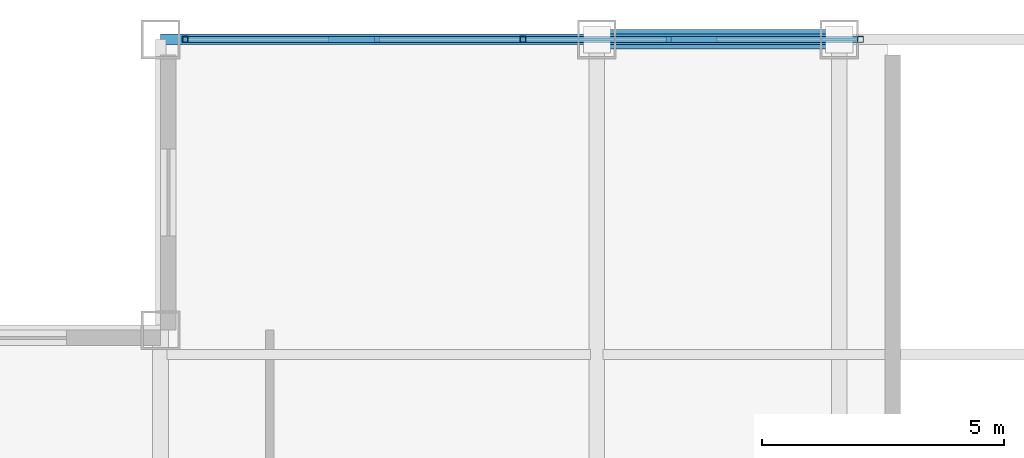
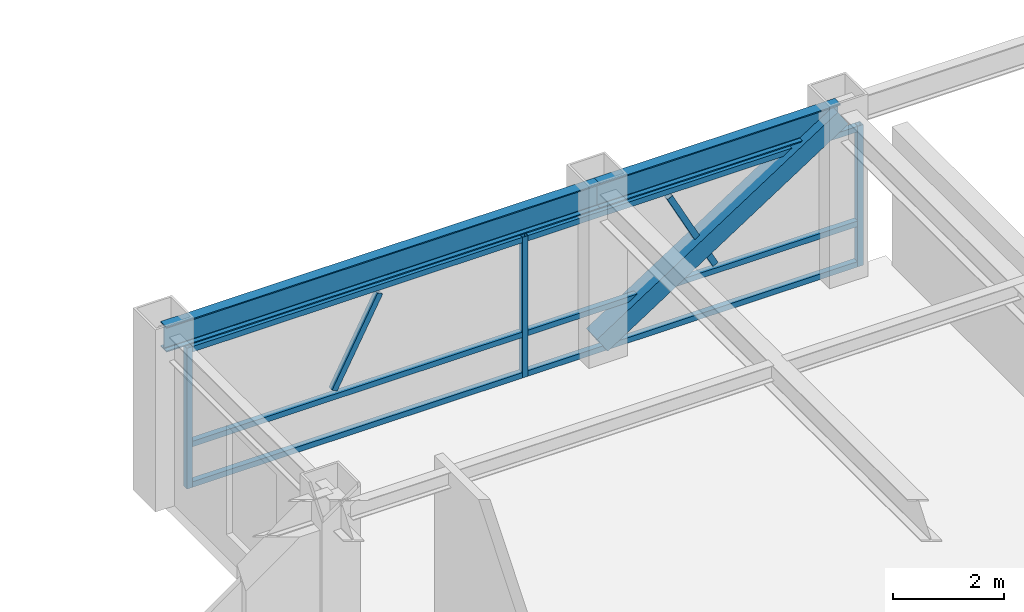
# One storey, part 19 of 29: 12 members, 2 beams, 1 element without a shape of its own.
"""IFC4 building model written with IfcOpenShell, lengths in metres."""

from ifc_helpers import new_model, si_unit, direction, frame, origin, origin_2d, place, context, subcontext, project, spatial, hollow_rectangle, i_section, extrude, source, transform, mapped, material, material_profile, profile_set, type_object, element, aggregate, save


model = new_model("IFC4")

# Units and contexts
model_context = context("Model", 3, precision=1e-05, world=origin(), true_north=direction((0.0, 1.0)))
body_context = subcontext(model_context, "Body", "Model", "MODEL_VIEW")
ifc_project = project(units=[si_unit("LENGTHUNIT", "METRE"), si_unit("AREAUNIT", "SQUARE_METRE"), si_unit("VOLUMEUNIT", "CUBIC_METRE"), si_unit("PLANEANGLEUNIT", "RADIAN"), si_unit("MASSUNIT", "GRAM", prefix="KILO")], contexts=[model_context])

# Site, building, storey
site_placement = place(None, origin())
site = spatial("IfcSite", under=ifc_project, at=site_placement, CompositionType="ELEMENT")
building_placement = place(site_placement, origin())
building = spatial("IfcBuilding", under=site, at=building_placement, Name="Khorayat Bourse Tower", CompositionType="ELEMENT")
storey_placement = place(building_placement, frame((0.0, 0.0, 354.300048828125)))
storey = spatial("IfcBuildingStorey", under=building, at=storey_placement, Name="L84", CompositionType="ELEMENT", Elevation=354.300048828125)

# Beams
ifc_material_1 = material(Name="Steel ASTM A992 Grade 50", Category="steel")
ifc_material_profile_1 = material_profile(ifc_material_1, i_section(OverallWidth=0.214111328125, OverallDepth=0.549072265625, WebThickness=0.0146484375, FlangeThickness=0.023681640625, FilletRadius=0.013916015625, at=origin_2d()), Name="W530X138")
ifc_profile_set_1 = profile_set([ifc_material_profile_1], Name="Steel ASTM A992 Grade 50")
beam_type = type_object("IfcBeamType", Name="BM-SPAN-530", PredefinedType="SPANDREL", material=ifc_profile_set_1)
shared_shape_1 = source(origin(), body_context, "Body", "SweptSolid", [
    extrude(i_section(OverallWidth=0.214111328125, OverallDepth=0.549072265625, WebThickness=0.0146484375, FlangeThickness=0.023681640625, FilletRadius=0.013916015625, at=origin_2d()), origin(), (0.0, 0.0, 1.0), 9.0),
])
beam_1_placement = place(storey_placement, frame((-20.0, 26.0, 3.46533203125), z_axis=(1.0, 0.0, 0.0), x_axis=(0.0, 1.0, 0.0)))
element("IfcBeam", 1, at=beam_1_placement, inside=storey, type_object=beam_type, Name="L84 BM-SPAN-530 BM-L84-SPN-045", PredefinedType="SPANDREL", context=body_context, shape_type="MappedRepresentation", body=[
    mapped(shared_shape_1, transform((0.0, 0.0, 0.0), scale=1.0)),
])
shared_shape_2 = source(origin(), body_context, "Body", "SweptSolid", [
    extrude(i_section(OverallWidth=0.214111328125, OverallDepth=0.549072265625, WebThickness=0.0146484375, FlangeThickness=0.023681640625, FilletRadius=0.013916015625, at=origin_2d()), origin(), (0.0, 0.0, 1.0), 5.0),
])
beam_2_placement = place(storey_placement, frame((-11.0, 26.0, 3.46533203125), z_axis=(1.0, 0.0, 0.0), x_axis=(0.0, 1.0, 0.0)))
element("IfcBeam", 2, at=beam_2_placement, inside=storey, type_object=beam_type, Name="L84 BM-SPAN-530 BM-L84-SPN-044", PredefinedType="SPANDREL", context=body_context, shape_type="MappedRepresentation", body=[
    mapped(shared_shape_2, transform((0.0, 0.0, 0.0), scale=1.0)),
])

# Member
ifc_material_2 = material(Name="Steel EN 10025-4 S460M", Category="steel")
ifc_material_profile_2 = material_profile(ifc_material_2, hollow_rectangle(XDim=0.39990234375, YDim=0.39990234375, WallThickness=0.02197265625, at=origin_2d()), Name="HSS 400x400x22")
ifc_profile_set_2 = profile_set([ifc_material_profile_2], Name="Steel EN 10025-4 S460M")
member_type_1 = type_object("IfcMemberType", Name="MBR-TUBE-400", PredefinedType="BRACE", material=ifc_profile_set_2)
shared_shape_3 = source(origin(), body_context, "Body", "SweptSolid", [
    extrude(hollow_rectangle(XDim=0.39990234375, YDim=0.39990234375, WallThickness=0.02197265625, at=origin_2d()), origin(), (0.0, 0.0, 1.0), 5.9580078125),
])
member_1_placement = place(storey_placement, frame((-11.0, 26.0, 0.25), z_axis=(0.839210474455, 0.0, 0.543806748364), x_axis=(0.0, 1.0, 0.0)))
element("IfcMember", 3, at=member_1_placement, inside=storey, type_object=member_type_1, Name="L84 Perimeter Tube Brace 03", PredefinedType="BRACE", context=body_context, shape_type="MappedRepresentation", body=[
    mapped(shared_shape_3, transform((0.0, 0.0, 0.0), scale=1.0)),
])

# Curtain wall, members
ifc_material_3 = material(Name="Aluminium EN AW-6063 T6", Category="aluminium")
curtain_wall_type = type_object("IfcCurtainWallType", Name="CW-SYS-06", PredefinedType="NOTDEFINED", material=ifc_material_3)
curtain_wall_placement = place(storey_placement, origin())
curtain_wall = element("IfcCurtainWall", 4, at=curtain_wall_placement, inside=storey, type_object=curtain_wall_type, Name="L84 Curtain Wall CW-L84-N1", PredefinedType="NOTDEFINED")
ifc_material_profile_3 = material_profile(ifc_material_3, hollow_rectangle(XDim=0.1201171875, YDim=0.1201171875, WallThickness=0.0048828125, at=origin_2d()), Name="ALU 120x120x5")
ifc_profile_set_3 = profile_set([ifc_material_profile_3], Name="Aluminium EN AW-6063 T6")
member_type_2 = type_object("IfcMemberType", Name="CWM-VERT-120", PredefinedType="MULLION", material=ifc_profile_set_3)
shared_shape_4 = source(origin(), body_context, "Body", "SweptSolid", [
    extrude(hollow_rectangle(XDim=0.1201171875, YDim=0.1201171875, WallThickness=0.0048828125, at=origin_2d()), origin(), (0.0, 0.0, 1.0), 3.08984375),
])
member_2_placement = place(storey_placement, frame((-5.56005859375, 26.0, 0.0), z_axis=(0.0, 0.0, 1.0), x_axis=(0.0, -1.0, 0.0)))
member_2 = element("IfcMember", 5, at=member_2_placement, type_object=member_type_2, Name="CW-L84-N1 Vertical Mullion 1", PredefinedType="MULLION", context=body_context, shape_type="MappedRepresentation", body=[
    mapped(shared_shape_4, transform((0.0, 0.0, 0.0), scale=1.0)),
])
member_3_placement = place(storey_placement, frame((-12.52490234375, 26.0, 0.0), z_axis=(0.0, 0.0, 1.0), x_axis=(0.0, -1.0, 0.0)))
member_3 = element("IfcMember", 6, at=member_3_placement, type_object=member_type_2, Name="CW-L84-N1 Vertical Mullion 2", PredefinedType="MULLION", context=body_context, shape_type="MappedRepresentation", body=[
    mapped(shared_shape_4, transform((0.0, 0.0, 0.0), scale=1.0)),
])
member_4_placement = place(storey_placement, frame((-19.489990234375, 26.0, 0.0), z_axis=(0.0, 0.0, 1.0), x_axis=(0.0, -1.0, 0.0)))
member_4 = element("IfcMember", 7, at=member_4_placement, type_object=member_type_2, Name="CW-L84-N1 Vertical Mullion 3", PredefinedType="MULLION", context=body_context, shape_type="MappedRepresentation", body=[
    mapped(shared_shape_4, transform((0.0, 0.0, 0.0), scale=1.0)),
])
ifc_material_profile_4 = material_profile(ifc_material_3, hollow_rectangle(XDim=0.1201171875, YDim=0.1201171875, WallThickness=0.0048828125, at=origin_2d()), Name="ALU 120x120x5")
ifc_profile_set_4 = profile_set([ifc_material_profile_4], Name="Aluminium EN AW-6063 T6")
member_type_3 = type_object("IfcMemberType", Name="CWM-DIAG-120", PredefinedType="MULLION", material=ifc_profile_set_4)
shared_shape_5 = source(origin(), body_context, "Body", "SweptSolid", [
    extrude(hollow_rectangle(XDim=0.1201171875, YDim=0.1201171875, WallThickness=0.0048828125, at=origin_2d()), origin(), (0.0, 0.0, 1.0), 2.0341796875),
])
member_5_placement = place(storey_placement, frame((-8.56884765625, 26.0, 1.08984375), z_axis=(-0.465696964104, 0.0, 0.884944256789), x_axis=(0.0, -1.0, 0.0)))
member_5 = element("IfcMember", 8, at=member_5_placement, type_object=member_type_3, Name="CW-L84-N1 Faceted Diagonal Mullion 1", PredefinedType="MULLION", context=body_context, shape_type="MappedRepresentation", body=[
    mapped(shared_shape_5, transform((0.0, 0.0, 0.0), scale=1.0)),
])
member_6_placement = place(storey_placement, frame((-16.481201171875, 26.0, 1.08984375), z_axis=(0.465696964104, 0.0, 0.884944256789), x_axis=(0.0, 1.0, 0.0)))
member_6 = element("IfcMember", 9, at=member_6_placement, type_object=member_type_3, Name="CW-L84-N1 Faceted Diagonal Mullion 2", PredefinedType="MULLION", context=body_context, shape_type="MappedRepresentation", body=[
    mapped(shared_shape_5, transform((0.0, 0.0, 0.0), scale=1.0)),
])
ifc_material_profile_5 = material_profile(ifc_material_3, hollow_rectangle(XDim=0.1201171875, YDim=0.1201171875, WallThickness=0.0048828125, at=origin_2d()), Name="ALU 120x120x5")
ifc_profile_set_5 = profile_set([ifc_material_profile_5], Name="Aluminium EN AW-6063 T6")
member_type_4 = type_object("IfcMemberType", Name="CWT-HORZ-120", PredefinedType="USERDEFINED", material=ifc_profile_set_5)
shared_shape_6 = source(origin(), body_context, "Body", "SweptSolid", [
    extrude(hollow_rectangle(XDim=0.1201171875, YDim=0.1201171875, WallThickness=0.0048828125, at=origin_2d()), origin(), (0.0, 0.0, 1.0), 6.844970703125),
])
member_7_placement = place(storey_placement, frame((-5.6201171875, 26.0, 0.06005859375), z_axis=(-1.0, 0.0, 0.0), x_axis=(0.0, -1.0, 0.0)))
member_7 = element("IfcMember", 10, at=member_7_placement, type_object=member_type_4, Name="CW-L84-N1 Horizontal Transom 1-1", ObjectType="TRANSOM", PredefinedType="USERDEFINED", context=body_context, shape_type="MappedRepresentation", body=[
    mapped(shared_shape_6, transform((0.0, 0.0, 0.0), scale=1.0)),
])
member_8_placement = place(storey_placement, frame((-5.6201171875, 26.0, 0.949951171875), z_axis=(-1.0, 0.0, 0.0), x_axis=(0.0, -1.0, 0.0)))
member_8 = element("IfcMember", 11, at=member_8_placement, type_object=member_type_4, Name="CW-L84-N1 Horizontal Transom 1-2", ObjectType="TRANSOM", PredefinedType="USERDEFINED", context=body_context, shape_type="MappedRepresentation", body=[
    mapped(shared_shape_6, transform((0.0, 0.0, 0.0), scale=1.0)),
])
member_9_placement = place(storey_placement, frame((-5.6201171875, 26.0, 3.030029296875), z_axis=(-1.0, 0.0, 0.0), x_axis=(0.0, -1.0, 0.0)))
member_9 = element("IfcMember", 12, at=member_9_placement, type_object=member_type_4, Name="CW-L84-N1 Horizontal Transom 1-3", ObjectType="TRANSOM", PredefinedType="USERDEFINED", context=body_context, shape_type="MappedRepresentation", body=[
    mapped(shared_shape_6, transform((0.0, 0.0, 0.0), scale=1.0)),
])
member_10_placement = place(storey_placement, frame((-12.5849609375, 26.0, 0.06005859375), z_axis=(-1.0, 0.0, 0.0), x_axis=(0.0, -1.0, 0.0)))
member_10 = element("IfcMember", 13, at=member_10_placement, type_object=member_type_4, Name="CW-L84-N1 Horizontal Transom 2-1", ObjectType="TRANSOM", PredefinedType="USERDEFINED", context=body_context, shape_type="MappedRepresentation", body=[
    mapped(shared_shape_6, transform((0.0, 0.0, 0.0), scale=1.0)),
])
member_11_placement = place(storey_placement, frame((-12.5849609375, 26.0, 0.949951171875), z_axis=(-1.0, 0.0, 0.0), x_axis=(0.0, -1.0, 0.0)))
member_11 = element("IfcMember", 14, at=member_11_placement, type_object=member_type_4, Name="CW-L84-N1 Horizontal Transom 2-2", ObjectType="TRANSOM", PredefinedType="USERDEFINED", context=body_context, shape_type="MappedRepresentation", body=[
    mapped(shared_shape_6, transform((0.0, 0.0, 0.0), scale=1.0)),
])
member_12_placement = place(storey_placement, frame((-12.5849609375, 26.0, 3.030029296875), z_axis=(-1.0, 0.0, 0.0), x_axis=(0.0, -1.0, 0.0)))
member_12 = element("IfcMember", 15, at=member_12_placement, type_object=member_type_4, Name="CW-L84-N1 Horizontal Transom 2-3", ObjectType="TRANSOM", PredefinedType="USERDEFINED", context=body_context, shape_type="MappedRepresentation", body=[
    mapped(shared_shape_6, transform((0.0, 0.0, 0.0), scale=1.0)),
])
aggregate(curtain_wall, [member_2, member_3, member_4, member_7, member_8, member_9, member_5, member_10, member_11, member_12, member_6])

save(model, "model.ifc")
